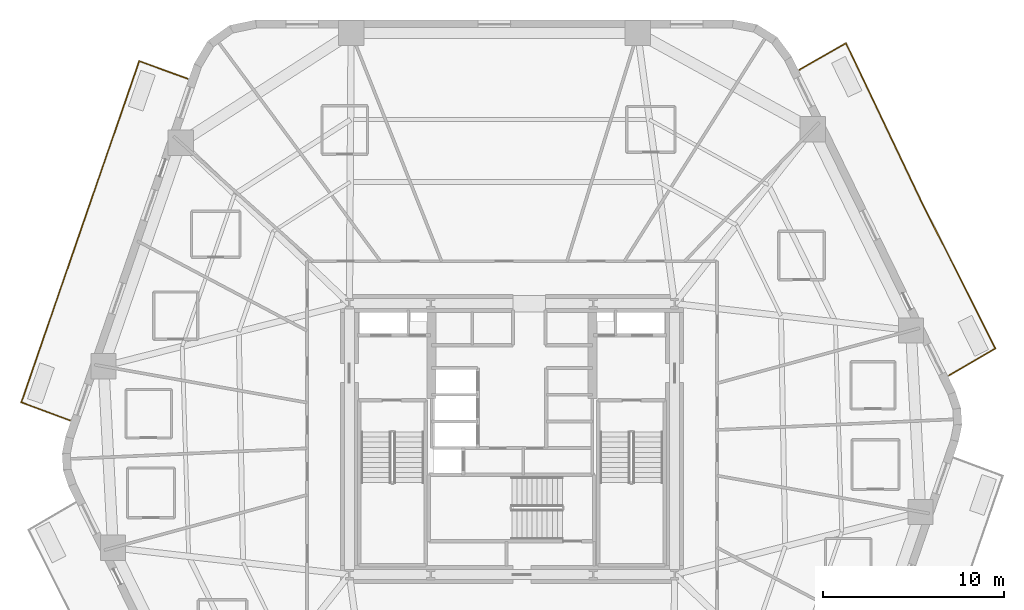
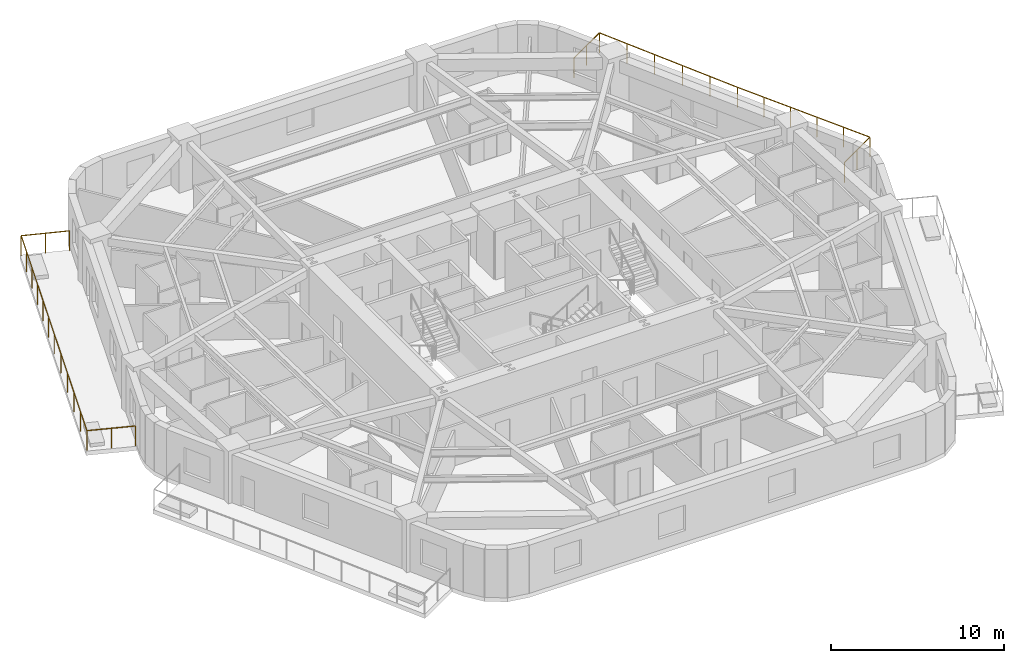
# One storey, part 10 of 10: 2 railings.
"""IFC4 building model written with IfcOpenShell, lengths in metres."""

from ifc_helpers import new_model, si_unit, direction, frame, origin, origin_2d, place, context, subcontext, project, spatial, rectangle, extrude, material, layer, layer_set, type_object, element, save


model = new_model("IFC4")

# Units and contexts
model_context = context("Model", 3, precision=1e-05, world=origin(), true_north=direction((0.0, 1.0)))
body_context = subcontext(model_context, "Body", "Model", "MODEL_VIEW")
ifc_project = project(units=[si_unit("LENGTHUNIT", "METRE"), si_unit("AREAUNIT", "SQUARE_METRE"), si_unit("VOLUMEUNIT", "CUBIC_METRE"), si_unit("PLANEANGLEUNIT", "RADIAN"), si_unit("MASSUNIT", "GRAM", prefix="KILO")], contexts=[model_context])

# Site, building, storey
site_placement = place(None, origin())
site = spatial("IfcSite", under=ifc_project, at=site_placement, CompositionType="ELEMENT")
building_placement = place(site_placement, origin())
building = spatial("IfcBuilding", under=site, at=building_placement, Name="Kilnhurst Terrace Hotel", CompositionType="ELEMENT")
storey_placement = place(building_placement, frame((0.0, 0.0, 45.300048828125)))
storey = spatial("IfcBuildingStorey", under=building, at=storey_placement, Name="L09", CompositionType="ELEMENT", Elevation=45.300048828125)

# Railings
ifc_material = material(Name="Laminated SentryGlas and Stainless Steel AISI 316L Balustrade", Category="steel")
ifc_layer = layer(ifc_material, 0.070068359375, Name="Laminated SentryGlas and Stainless Steel AISI 316L Balustrade")
ifc_layer_set = layer_set([ifc_layer], Name="Laminated SentryGlas and Stainless Steel AISI 316L Balustrade")
railing_type = type_object("IfcRailingType", Name="RLG-BAL-1420", PredefinedType="BALUSTRADE", material=ifc_layer_set)
railing_1_placement = place(storey_placement, frame((15.923095703125, 20.44873046875, 0.0)))
element("IfcRailing", 1, at=railing_1_placement, inside=storey, type_object=railing_type, Name="L09 Exterior Terrace Guardrail BAL-L1B.1", PredefinedType="BALUSTRADE", context=body_context, shape_type="SweptSolid", body=[
    extrude(rectangle(XDim=0.048095703125, YDim=0.048095703125, at=origin_2d()), frame((0.0, 0.0, 1.39599609375), z_axis=(0.86763656582, 0.497198943736, 0.0), x_axis=(-0.497198943736, 0.86763656582, 0.0)), (0.0, 0.0, 1.0), 2.95068359375),
    extrude(rectangle(XDim=0.048095703125, YDim=0.048095703125, at=origin_2d()), frame((2.56005859375, 1.467041015625, 1.39599609375), z_axis=(0.430147205624, -0.902758761516, 0.0), x_axis=(0.902758761516, 0.430147205624, 0.0)), (0.0, 0.0, 1.0), 9.67041015625),
    extrude(rectangle(XDim=0.048095703125, YDim=0.048095703125, at=origin_2d()), frame((6.7197265625, -7.262939453125, 1.39599609375), z_axis=(0.514495755428, -0.857492925713, 0.0), x_axis=(0.857492925713, 0.514495755428, 0.0)), (0.0, 0.0, 1.0), 0.00146484375),
    extrude(rectangle(XDim=0.048095703125, YDim=0.048095703125, at=origin_2d()), frame((6.720458984375, -7.26416015625, 1.39599609375), z_axis=(0.449648824937, -0.89320542667, 0.0), x_axis=(0.89320542667, 0.449648824937, 0.0)), (0.0, 0.0, 1.0), 9.136962890625),
    extrude(rectangle(XDim=0.048095703125, YDim=0.048095703125, at=origin_2d()), frame((10.828857421875, -15.42529296875, 1.39599609375), z_axis=(-0.863737120301, -0.503942642584, 0.0), x_axis=(0.503942642584, -0.863737120301, 0.0)), (0.0, 0.0, 1.0), 2.96728515625),
    extrude(rectangle(XDim=0.0419921875, YDim=0.0419921875, at=origin_2d()), origin(), (0.0, 0.0, 1.0), 1.371826171875),
    extrude(rectangle(XDim=0.0419921875, YDim=0.0419921875, at=origin_2d()), frame((1.280029296875, 0.7333984375, 0.0)), (0.0, 0.0, 1.0), 1.371826171875),
    extrude(rectangle(XDim=0.0419921875, YDim=0.0419921875, at=origin_2d()), frame((2.56005859375, 1.467041015625, 0.0)), (0.0, 0.0, 1.0), 1.371826171875),
    extrude(rectangle(XDim=0.0419921875, YDim=0.0419921875, at=origin_2d()), frame((3.39208984375, -0.279052734375, 0.0)), (0.0, 0.0, 1.0), 1.371826171875),
    extrude(rectangle(XDim=0.0419921875, YDim=0.0419921875, at=origin_2d()), frame((4.223876953125, -2.02490234375, 0.0)), (0.0, 0.0, 1.0), 1.371826171875),
    extrude(rectangle(XDim=0.0419921875, YDim=0.0419921875, at=origin_2d()), frame((5.055908203125, -3.77099609375, 0.0)), (0.0, 0.0, 1.0), 1.371826171875),
    extrude(rectangle(XDim=0.0419921875, YDim=0.0419921875, at=origin_2d()), frame((5.8876953125, -5.516845703125, 0.0)), (0.0, 0.0, 1.0), 1.371826171875),
    extrude(rectangle(XDim=0.0419921875, YDim=0.0419921875, at=origin_2d()), frame((6.7197265625, -7.262939453125, 0.0)), (0.0, 0.0, 1.0), 1.371826171875),
    extrude(rectangle(XDim=0.0419921875, YDim=0.0419921875, at=origin_2d()), frame((6.720458984375, -7.26416015625, 0.0)), (0.0, 0.0, 1.0), 1.371826171875),
    extrude(rectangle(XDim=0.0419921875, YDim=0.0419921875, at=origin_2d()), frame((7.542236328125, -8.896484375, 0.0)), (0.0, 0.0, 1.0), 1.371826171875),
    extrude(rectangle(XDim=0.0419921875, YDim=0.0419921875, at=origin_2d()), frame((8.36376953125, -10.528564453125, 0.0)), (0.0, 0.0, 1.0), 1.371826171875),
    extrude(rectangle(XDim=0.0419921875, YDim=0.0419921875, at=origin_2d()), frame((9.185546875, -12.160888671875, 0.0)), (0.0, 0.0, 1.0), 1.371826171875),
    extrude(rectangle(XDim=0.0419921875, YDim=0.0419921875, at=origin_2d()), frame((10.007080078125, -13.79296875, 0.0)), (0.0, 0.0, 1.0), 1.371826171875),
    extrude(rectangle(XDim=0.0419921875, YDim=0.0419921875, at=origin_2d()), frame((10.828857421875, -15.42529296875, 0.0)), (0.0, 0.0, 1.0), 1.371826171875),
    extrude(rectangle(XDim=0.0419921875, YDim=0.0419921875, at=origin_2d()), frame((9.54736328125, -16.1728515625, 0.0)), (0.0, 0.0, 1.0), 1.371826171875),
    extrude(rectangle(XDim=0.0419921875, YDim=0.0419921875, at=origin_2d()), frame((8.265869140625, -16.920654296875, 0.0)), (0.0, 0.0, 1.0), 1.371826171875),
])
railing_2_placement = place(storey_placement, frame((-24.485107421875, 1.041748046875, 0.0)))
element("IfcRailing", 2, at=railing_2_placement, inside=storey, type_object=railing_type, Name="L09 Exterior Terrace Guardrail BAL-L2A.1", PredefinedType="BALUSTRADE", context=body_context, shape_type="SweptSolid", body=[
    extrude(rectangle(XDim=0.048095703125, YDim=0.048095703125, at=origin_2d()), frame((0.0, 0.0, 1.39599609375), z_axis=(-0.937279097592, 0.348579823308, 0.0), x_axis=(-0.348579823308, -0.937279097592, 0.0)), (0.0, 0.0, 1.0), 2.85205078125),
    extrude(rectangle(XDim=0.048095703125, YDim=0.048095703125, at=origin_2d()), frame((-2.673095703125, 0.994140625, 1.39599609375), z_axis=(0.326159116329, 0.945314884488, 0.0), x_axis=(-0.945314884488, 0.326159116329, 0.0)), (0.0, 0.0, 1.0), 9.91650390625),
    extrude(rectangle(XDim=0.048095703125, YDim=0.048095703125, at=origin_2d()), frame((0.561279296875, 10.368408203125, 1.39599609375), z_axis=(0.326903959129, 0.945057565181, 0.0), x_axis=(-0.945057565181, 0.326903959129, 0.0)), (0.0, 0.0, 1.0), 10.065673828125),
    extrude(rectangle(XDim=0.048095703125, YDim=0.048095703125, at=origin_2d()), frame((3.851806640625, 19.881103515625, 1.39599609375), z_axis=(0.939926315563, -0.341377388402, 0.0), x_axis=(0.341377388402, 0.939926315563, 0.0)), (0.0, 0.0, 1.0), 2.84130859375),
    extrude(rectangle(XDim=0.0419921875, YDim=0.0419921875, at=origin_2d()), origin(), (0.0, 0.0, 1.0), 1.371826171875),
    extrude(rectangle(XDim=0.0419921875, YDim=0.0419921875, at=origin_2d()), frame((-1.33642578125, 0.4970703125, 0.0)), (0.0, 0.0, 1.0), 1.371826171875),
    extrude(rectangle(XDim=0.0419921875, YDim=0.0419921875, at=origin_2d()), frame((-2.673095703125, 0.994140625, 0.0)), (0.0, 0.0, 1.0), 1.371826171875),
    extrude(rectangle(XDim=0.0419921875, YDim=0.0419921875, at=origin_2d()), frame((-2.026123046875, 2.868896484375, 0.0)), (0.0, 0.0, 1.0), 1.371826171875),
    extrude(rectangle(XDim=0.0419921875, YDim=0.0419921875, at=origin_2d()), frame((-1.37939453125, 4.743896484375, 0.0)), (0.0, 0.0, 1.0), 1.371826171875),
    extrude(rectangle(XDim=0.0419921875, YDim=0.0419921875, at=origin_2d()), frame((-0.732421875, 6.61865234375, 0.0)), (0.0, 0.0, 1.0), 1.371826171875),
    extrude(rectangle(XDim=0.0419921875, YDim=0.0419921875, at=origin_2d()), frame((-0.085693359375, 8.49365234375, 0.0)), (0.0, 0.0, 1.0), 1.371826171875),
    extrude(rectangle(XDim=0.0419921875, YDim=0.0419921875, at=origin_2d()), frame((0.561279296875, 10.368408203125, 0.0)), (0.0, 0.0, 1.0), 1.371826171875),
    extrude(rectangle(XDim=0.0419921875, YDim=0.0419921875, at=origin_2d()), frame((1.109619140625, 11.953857421875, 0.0)), (0.0, 0.0, 1.0), 1.371826171875),
    extrude(rectangle(XDim=0.0419921875, YDim=0.0419921875, at=origin_2d()), frame((1.658203125, 13.539306640625, 0.0)), (0.0, 0.0, 1.0), 1.371826171875),
    extrude(rectangle(XDim=0.0419921875, YDim=0.0419921875, at=origin_2d()), frame((2.20654296875, 15.124755859375, 0.0)), (0.0, 0.0, 1.0), 1.371826171875),
    extrude(rectangle(XDim=0.0419921875, YDim=0.0419921875, at=origin_2d()), frame((2.7548828125, 16.710205078125, 0.0)), (0.0, 0.0, 1.0), 1.371826171875),
    extrude(rectangle(XDim=0.0419921875, YDim=0.0419921875, at=origin_2d()), frame((3.303466796875, 18.295654296875, 0.0)), (0.0, 0.0, 1.0), 1.371826171875),
    extrude(rectangle(XDim=0.0419921875, YDim=0.0419921875, at=origin_2d()), frame((3.851806640625, 19.881103515625, 0.0)), (0.0, 0.0, 1.0), 1.371826171875),
    extrude(rectangle(XDim=0.0419921875, YDim=0.0419921875, at=origin_2d()), frame((5.18701171875, 19.39599609375, 0.0)), (0.0, 0.0, 1.0), 1.371826171875),
    extrude(rectangle(XDim=0.0419921875, YDim=0.0419921875, at=origin_2d()), frame((6.5224609375, 18.9111328125, 0.0)), (0.0, 0.0, 1.0), 1.371826171875),
])

save(model, "model.ifc")
